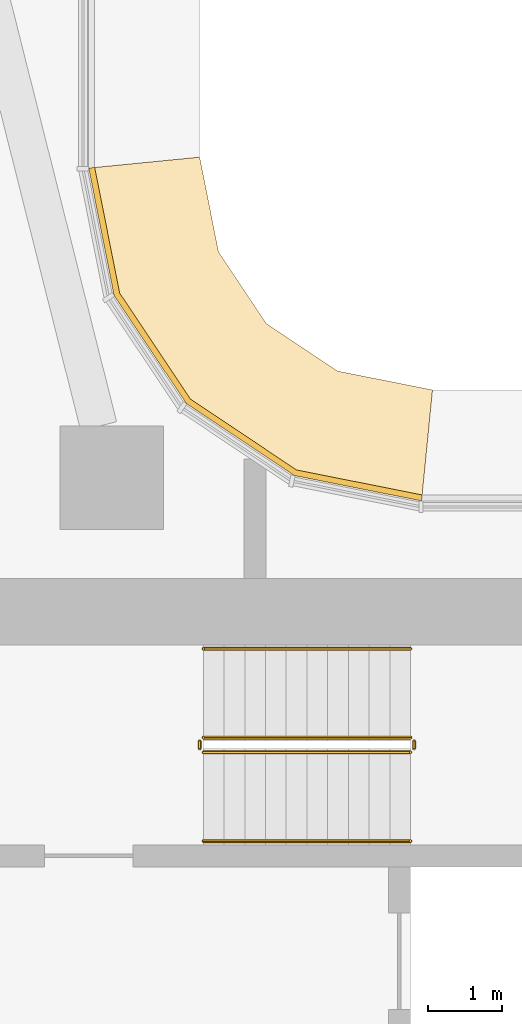
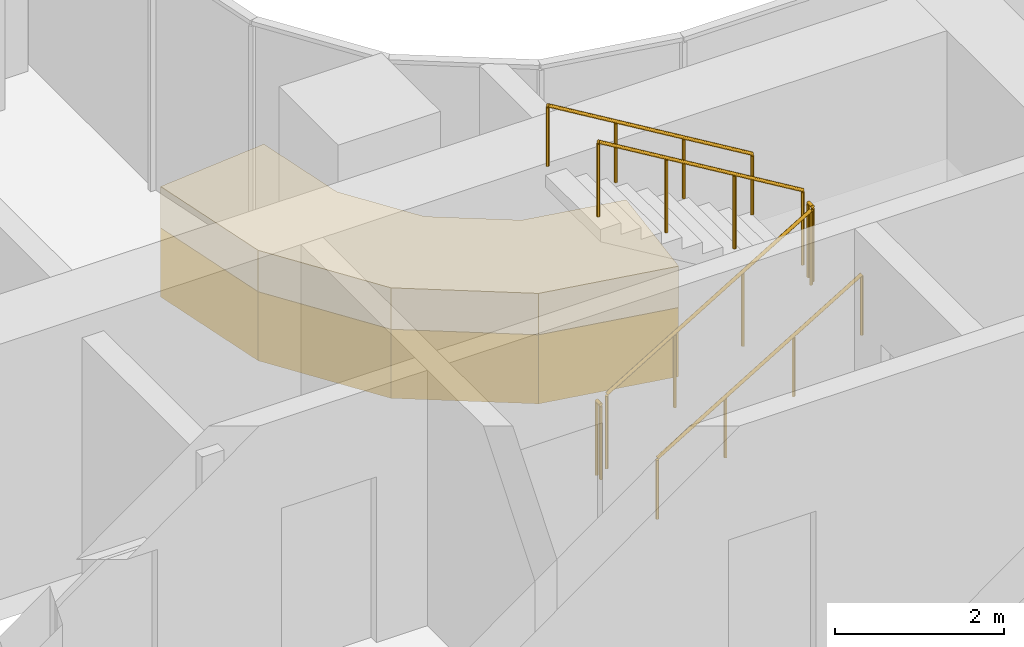
# One storey, part 29 of 36: 6 railings, 2 coverings.
"""IFC4 building model written with IfcOpenShell, lengths in metres."""

from ifc_helpers import new_model, si_unit, direction, frame, origin, origin_2d, place, context, subcontext, project, spatial, polyline, circle, outline, extrude, material, layer, layer_set, type_object, element, save


model = new_model("IFC4")

# Units and contexts
model_context = context("Model", 3, precision=1e-05, world=origin(), true_north=direction((0.0, 1.0)))
body_context = subcontext(model_context, "Body", "Model", "MODEL_VIEW")
ifc_project = project(units=[si_unit("LENGTHUNIT", "METRE"), si_unit("AREAUNIT", "SQUARE_METRE"), si_unit("VOLUMEUNIT", "CUBIC_METRE"), si_unit("PLANEANGLEUNIT", "RADIAN"), si_unit("MASSUNIT", "GRAM", prefix="KILO")], contexts=[model_context])

# Site, building, storey
site_placement = place(None, origin())
site = spatial("IfcSite", under=ifc_project, at=site_placement, CompositionType="ELEMENT")
building_placement = place(site_placement, origin())
building = spatial("IfcBuilding", under=site, at=building_placement, Name="Ogive Portal Towers", CompositionType="ELEMENT")
storey_placement = place(building_placement, frame((0.0, 0.0, 70.5)))
storey = spatial("IfcBuildingStorey", under=building, at=storey_placement, Name="L16", CompositionType="ELEMENT", Elevation=70.5)

# Railings
ifc_material_1 = material(Name="Stainless steel balustrade", Category="steel")
railing_type_1 = type_object("IfcRailingType", Name="INT-GUARD", PredefinedType="GUARDRAIL", material=ifc_material_1)
railing_1_placement = place(storey_placement, frame((52.550048828125, 37.60009765625, 0.168212890625)))
element("IfcRailing", 1, at=railing_1_placement, inside=storey, type_object=railing_type_1, Name="L16 ST-A2 stair guard 1", PredefinedType="GUARDRAIL", context=body_context, shape_type="SweptSolid", body=[
    extrude(circle(Radius=0.02392578125, at=origin_2d()), frame((0.0, 0.0, 1.076171875), z_axis=(0.857242210791, 0.0, 0.514913383045), x_axis=(0.0, 1.0, 0.0)), (0.0, 0.0, 1.0), 3.266357421875),
    extrude(circle(Radius=0.02099609375, at=origin_2d()), origin(), (0.0, 0.0, 1.0), 1.052001953125),
    extrude(circle(Radius=0.02099609375, at=origin_2d()), frame((0.933349609375, 0.0, 0.560546875)), (0.0, 0.0, 1.0), 1.052001953125),
    extrude(circle(Radius=0.02099609375, at=origin_2d()), frame((1.86669921875, 0.0, 1.121337890625)), (0.0, 0.0, 1.0), 1.052001953125),
    extrude(circle(Radius=0.02099609375, at=origin_2d()), frame((2.800048828125, 0.0, 1.681884765625)), (0.0, 0.0, 1.0), 1.052001953125),
])
railing_2_placement = place(storey_placement, frame((55.39990234375, 37.64990234375, 1.85009765625)))
element("IfcRailing", 2, at=railing_2_placement, inside=storey, type_object=railing_type_1, Name="L16 ST-A2 stair guard 2", PredefinedType="GUARDRAIL", context=body_context, shape_type="SweptSolid", body=[
    extrude(circle(Radius=0.02392578125, at=origin_2d()), frame((0.0, 0.0, 1.076171875), z_axis=(0.0, 1.0, 0.0), x_axis=(-1.0, 0.0, 0.0)), (0.0, 0.0, 1.0), 0.10009765625),
    extrude(circle(Radius=0.02099609375, at=origin_2d()), origin(), (0.0, 0.0, 1.0), 1.052001953125),
    extrude(circle(Radius=0.02099609375, at=origin_2d()), frame((0.0, 0.10009765625, 0.0)), (0.0, 0.0, 1.0), 1.052001953125),
])
railing_3_placement = place(storey_placement, frame((55.35009765625, 37.800048828125, 2.01806640625)))
element("IfcRailing", 3, at=railing_3_placement, inside=storey, type_object=railing_type_1, Name="L16 ST-A2 stair guard 3", PredefinedType="GUARDRAIL", context=body_context, shape_type="SweptSolid", body=[
    extrude(circle(Radius=0.02392578125, at=origin_2d()), frame((0.0, 0.0, 1.076171875), z_axis=(-0.857242210791, 0.0, 0.514913383045), x_axis=(0.0, -1.0, 0.0)), (0.0, 0.0, 1.0), 3.266357421875),
    extrude(circle(Radius=0.02099609375, at=origin_2d()), origin(), (0.0, 0.0, 1.0), 1.052001953125),
    extrude(circle(Radius=0.02099609375, at=origin_2d()), frame((-0.933349609375, 0.0, 0.560546875)), (0.0, 0.0, 1.0), 1.052001953125),
    extrude(circle(Radius=0.02099609375, at=origin_2d()), frame((-1.86669921875, 0.0, 1.121337890625)), (0.0, 0.0, 1.0), 1.052001953125),
    extrude(circle(Radius=0.02099609375, at=origin_2d()), frame((-2.800048828125, 0.0, 1.681884765625)), (0.0, 0.0, 1.0), 1.052001953125),
])
railing_4_placement = place(storey_placement, frame((52.5, 37.64990234375, 0.0)))
element("IfcRailing", 4, at=railing_4_placement, inside=storey, type_object=railing_type_1, Name="L16 ST-A2 stair guard 4", PredefinedType="GUARDRAIL", context=body_context, shape_type="SweptSolid", body=[
    extrude(circle(Radius=0.02392578125, at=origin_2d()), frame((0.0, 0.0, 1.076171875), z_axis=(0.0, 1.0, 0.0), x_axis=(-1.0, 0.0, 0.0)), (0.0, 0.0, 1.0), 0.10009765625),
    extrude(circle(Radius=0.02099609375, at=origin_2d()), origin(), (0.0, 0.0, 1.0), 1.052001953125),
    extrude(circle(Radius=0.02099609375, at=origin_2d()), frame((0.0, 0.10009765625, 0.0)), (0.0, 0.0, 1.0), 1.052001953125),
])
ifc_material_2 = material(Name="Stainless steel handrail", Category="steel")
railing_type_2 = type_object("IfcRailingType", Name="INT-HANDRAIL", PredefinedType="HANDRAIL", material=ifc_material_2)
railing_5_placement = place(storey_placement, frame((52.550048828125, 36.39990234375, 0.168212890625)))
element("IfcRailing", 5, at=railing_5_placement, inside=storey, type_object=railing_type_2, Name="L16 ST-A2 stair handrail 1", PredefinedType="HANDRAIL", context=body_context, shape_type="SweptSolid", body=[
    extrude(circle(Radius=0.02392578125, at=origin_2d()), frame((0.0, 0.0, 0.8759765625), z_axis=(0.857242210791, 0.0, 0.514913383045), x_axis=(0.0, 1.0, 0.0)), (0.0, 0.0, 1.0), 3.266357421875),
    extrude(circle(Radius=0.02099609375, at=origin_2d()), origin(), (0.0, 0.0, 1.0), 0.851806640625),
    extrude(circle(Radius=0.02099609375, at=origin_2d()), frame((0.933349609375, 0.0, 0.560546875)), (0.0, 0.0, 1.0), 0.851806640625),
    extrude(circle(Radius=0.02099609375, at=origin_2d()), frame((1.86669921875, 0.0, 1.121337890625)), (0.0, 0.0, 1.0), 0.851806640625),
    extrude(circle(Radius=0.02099609375, at=origin_2d()), frame((2.800048828125, 0.0, 1.681884765625)), (0.0, 0.0, 1.0), 0.851806640625),
])
railing_6_placement = place(storey_placement, frame((55.35009765625, 39.0, 2.01806640625)))
element("IfcRailing", 6, at=railing_6_placement, inside=storey, type_object=railing_type_2, Name="L16 ST-A2 stair handrail 2", PredefinedType="HANDRAIL", context=body_context, shape_type="SweptSolid", body=[
    extrude(circle(Radius=0.02392578125, at=origin_2d()), frame((0.0, 0.0, 0.8759765625), z_axis=(-0.857242210791, 0.0, 0.514913383045), x_axis=(0.0, -1.0, 0.0)), (0.0, 0.0, 1.0), 3.266357421875),
    extrude(circle(Radius=0.02099609375, at=origin_2d()), origin(), (0.0, 0.0, 1.0), 0.851806640625),
    extrude(circle(Radius=0.02099609375, at=origin_2d()), frame((-0.933349609375, 0.0, 0.560546875)), (0.0, 0.0, 1.0), 0.851806640625),
    extrude(circle(Radius=0.02099609375, at=origin_2d()), frame((-1.86669921875, 0.0, 1.121337890625)), (0.0, 0.0, 1.0), 0.851806640625),
    extrude(circle(Radius=0.02099609375, at=origin_2d()), frame((-2.800048828125, 0.0, 1.681884765625)), (0.0, 0.0, 1.0), 0.851806640625),
])

# Coverings
ifc_material_3 = material(Name="Limestone cladding on lightweight block wall", Category="masonry")
ifc_layer_1 = layer(ifc_material_3, 0.080078125)
ifc_layer_set_1 = layer_set([ifc_layer_1], Name="STONE SPANDREL 80")
covering_type_1 = type_object("IfcCoveringType", Name="STONE SPANDREL 80", PredefinedType="CLADDING", material=ifc_layer_set_1)
covering_1_placement = place(storey_placement, frame((0.0, 0.0, -1.60009765625)))
element("IfcCovering", 7, at=covering_1_placement, inside=storey, type_object=covering_type_1, Name="Stone spandrel A1-F10", PredefinedType="CLADDING", context=body_context, shape_type="SweptSolid", body=[
    extrude(outline(polyline([(55.5, 41.0), (53.77783203125, 41.342529296875), (52.318115234375, 42.318115234375), (51.342529296875, 43.77783203125), (51.0, 45.5), (51.080078125, 45.5078125), (51.41796875, 43.80908203125), (52.375732421875, 42.375732421875), (53.80908203125, 41.41796875), (55.5078125, 41.080078125), (55.5, 41.0)])), origin(), (0.0, 0.0, 1.0), 1.0),
])
ifc_layer_2 = layer(ifc_material_3, 0.60009765625)
ifc_layer_set_2 = layer_set([ifc_layer_2], Name="SUNSHADE LIP 600")
covering_type_2 = type_object("IfcCoveringType", Name="SUNSHADE LIP 600", PredefinedType="CLADDING", material=ifc_layer_set_2)
covering_2_placement = place(storey_placement, frame((0.0, 0.0, -0.60009765625)))
element("IfcCovering", 8, at=covering_2_placement, inside=storey, type_object=covering_type_2, Name="Sunshade lip A1-F10", PredefinedType="CLADDING", context=body_context, shape_type="SweptSolid", body=[
    extrude(outline(polyline([(55.5, 41.0), (53.77783203125, 41.342529296875), (52.318115234375, 42.318115234375), (51.342529296875, 43.77783203125), (51.0, 45.5), (52.5, 45.647705078125), (52.755615234375, 44.36328125), (53.3994140625, 43.3994140625), (54.36328125, 42.755615234375), (55.647705078125, 42.5), (55.5, 41.0)])), origin(), (0.0, 0.0, 1.0), 0.60009765625),
])

save(model, "model.ifc")
